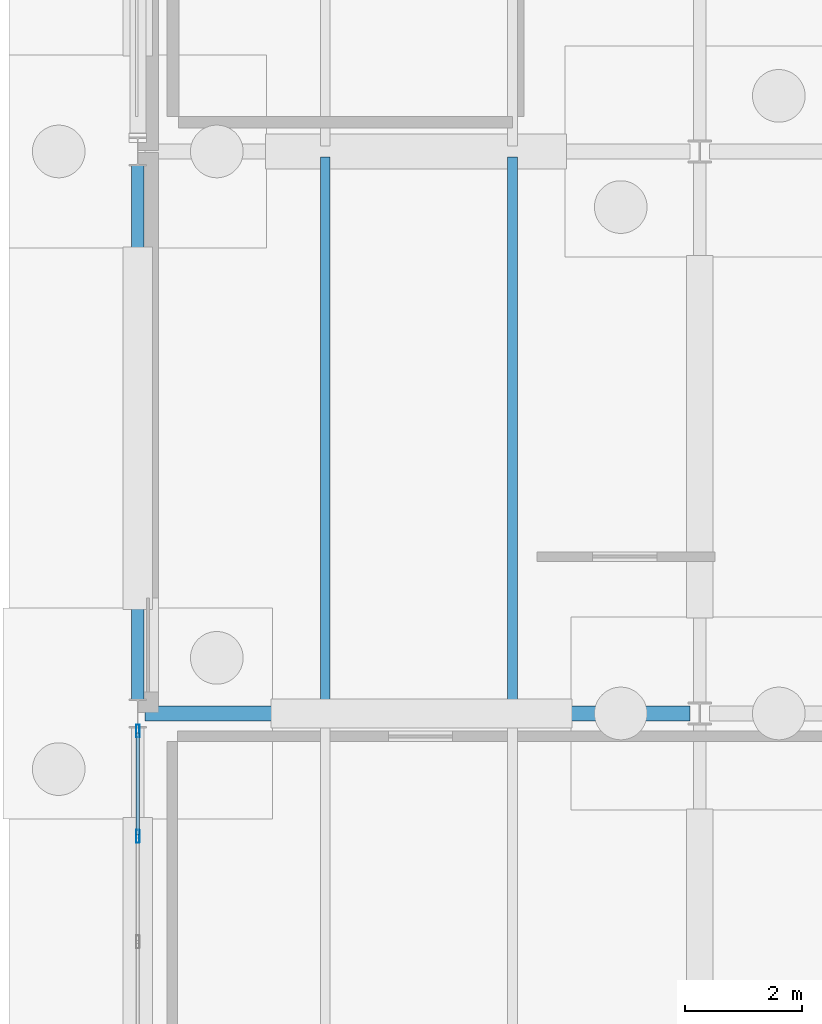
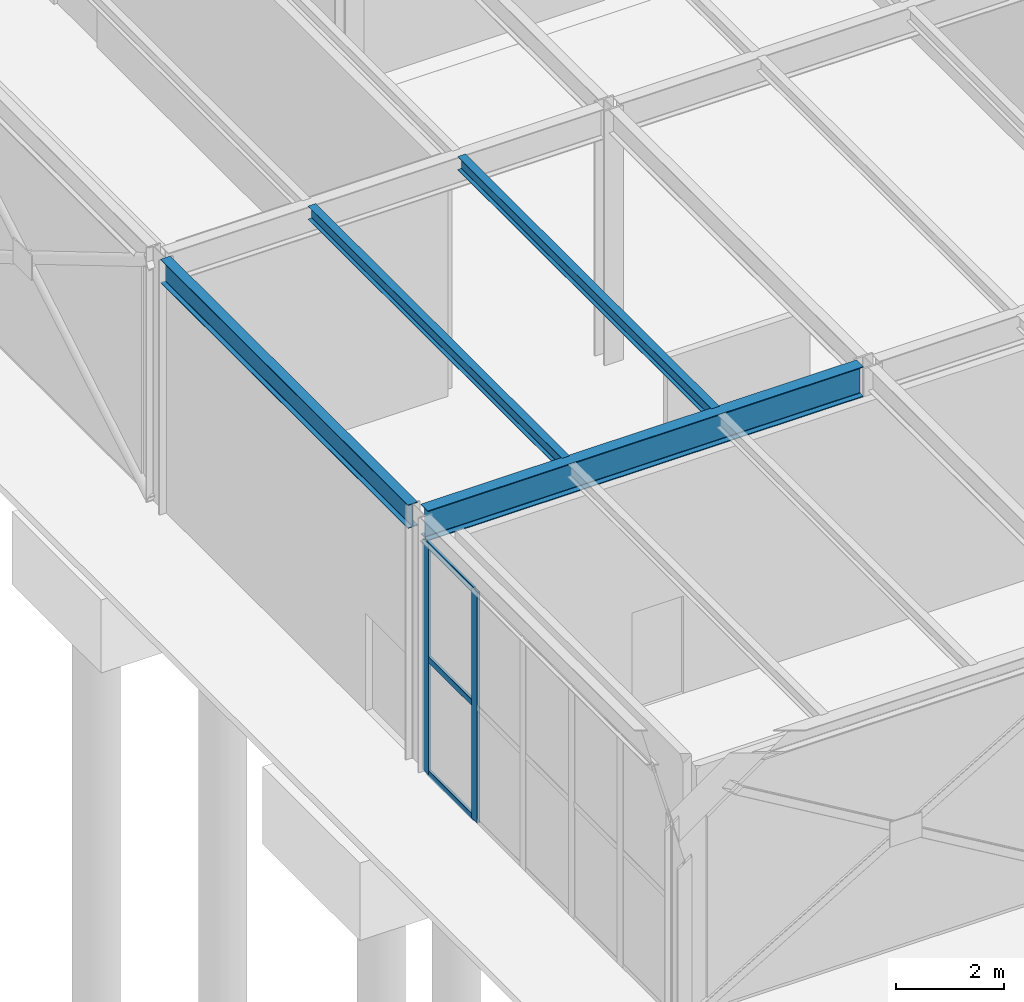
# One storey, part 33 of 142: 5 members, 4 beams, 1 element without a shape of its own.
"""IFC4 building model written with IfcOpenShell, lengths in metres."""

from ifc_helpers import new_model, si_unit, direction, frame, origin, origin_2d, place, context, subcontext, project, spatial, hollow_rectangle, i_section, extrude, material, material_profile, profile_set, type_object, element, aggregate, save


model = new_model("IFC4")

# Units and contexts
model_context = context("Model", 3, precision=1e-05, world=origin(), true_north=direction((0.0, 1.0)))
body_context = subcontext(model_context, "Body", "Model", "MODEL_VIEW")
ifc_project = project(units=[si_unit("LENGTHUNIT", "METRE"), si_unit("AREAUNIT", "SQUARE_METRE"), si_unit("VOLUMEUNIT", "CUBIC_METRE"), si_unit("PLANEANGLEUNIT", "RADIAN"), si_unit("MASSUNIT", "GRAM", prefix="KILO")], contexts=[model_context])

# Site, building, storey
site_placement = place(None, origin())
site = spatial("IfcSite", under=ifc_project, at=site_placement, CompositionType="ELEMENT")
building_placement = place(site_placement, origin())
building = spatial("IfcBuilding", under=site, at=building_placement, Name="Coralgate Yard Interchange", CompositionType="ELEMENT")
storey_placement = place(building_placement, origin())
storey = spatial("IfcBuildingStorey", under=building, at=storey_placement, Name="L00", CompositionType="ELEMENT", Elevation=0.0)

# Beams
ifc_material_1 = material(Name="Structural steel S355J2", Category="steel")
ifc_material_profile_1 = material_profile(ifc_material_1, i_section(OverallWidth=0.209228515625, OverallDepth=0.533203125, WebThickness=0.010009765625, FlangeThickness=0.015625, FilletRadius=0.0126953125, at=origin_2d()), Name="UB 533x210x92")
ifc_profile_set_1 = profile_set([ifc_material_profile_1], Name="Structural steel S355J2")
beam_type_1 = type_object("IfcBeamType", Name="BM-SB-1", PredefinedType="BEAM", material=ifc_profile_set_1)
beam_1_placement = place(storey_placement, frame((0.0, 9.820068359375, 5.4833984375), z_axis=(0.0, 1.0, 0.0), x_axis=(-1.0, 0.0, 0.0)))
element("IfcBeam", 1, at=beam_1_placement, inside=storey, type_object=beam_type_1, Name="L00 primary grid girder X0 Y1-2", PredefinedType="BEAM", context=body_context, shape_type="SweptSolid", body=[
    extrude(i_section(OverallWidth=0.209228515625, OverallDepth=0.533203125, WebThickness=0.010009765625, FlangeThickness=0.015625, FilletRadius=0.0126953125, at=origin_2d()), origin(), (0.0, 0.0, 1.0), 9.159912109375),
])
ifc_material_profile_2 = material_profile(ifc_material_1, i_section(OverallWidth=0.253662109375, OverallDepth=0.68359375, WebThickness=0.012451171875, FlangeThickness=0.01904296875, FilletRadius=0.01513671875, at=origin_2d()), Name="UB 686x254x140")
ifc_profile_set_2 = profile_set([ifc_material_profile_2], Name="Structural steel S355J2")
beam_type_2 = type_object("IfcBeamType", Name="BM-SG-4", PredefinedType="BEAM", material=ifc_profile_set_2)
beam_2_placement = place(storey_placement, frame((0.1201171875, 9.60009765625, 5.408203125), z_axis=(1.0, 0.0, 0.0), x_axis=(0.0, 1.0, 0.0)))
element("IfcBeam", 2, at=beam_2_placement, inside=storey, type_object=beam_type_2, Name="L00 primary grid beam Y1 X0-1", PredefinedType="BEAM", context=body_context, shape_type="SweptSolid", body=[
    extrude(i_section(OverallWidth=0.253662109375, OverallDepth=0.68359375, WebThickness=0.012451171875, FlangeThickness=0.01904296875, FilletRadius=0.01513671875, at=origin_2d()), origin(), (0.0, 0.0, 1.0), 9.310302734375),
])
ifc_material_profile_3 = material_profile(ifc_material_1, i_section(OverallWidth=0.1650390625, OverallDepth=0.303466796875, WebThickness=0.006103515625, FlangeThickness=0.01025390625, FilletRadius=0.0087890625, at=origin_2d()), Name="UB 305x165x40")
ifc_profile_set_3 = profile_set([ifc_material_profile_3], Name="Structural steel S355J2")
beam_type_3 = type_object("IfcBeamType", Name="BM-SJ-1", PredefinedType="JOIST", material=ifc_profile_set_3)
for number, where, z_axis, x_axis, name in (
    (3, (3.199951171875, 9.69677734375, 5.598388671875), (0.0, 1.0, 0.0), (-1.0, 0.0, 0.0), "L00 composite floor joist 0-1-1"),
    (4, (6.39990234375, 9.69677734375, 5.598388671875), (0.0, 1.0, 0.0), (-1.0, 0.0, 0.0), "L00 composite floor joist 0-1-2"),
):
    element("IfcBeam", number, at=place(storey_placement, frame(where, z_axis=z_axis, x_axis=x_axis)), inside=storey, type_object=beam_type_3, Name=name, PredefinedType="JOIST", context=body_context, shape_type="SweptSolid", body=[
        extrude(i_section(OverallWidth=0.1650390625, OverallDepth=0.303466796875, WebThickness=0.006103515625, FlangeThickness=0.01025390625, FilletRadius=0.0087890625, at=origin_2d()), origin(), (0.0, 0.0, 1.0), 9.40625),
    ])

# Curtain wall, members
ifc_material_2 = material(Name="Anodised coastal aluminium and solar-control low-E glass", Category="aluminium")
curtain_wall_type = type_object("IfcCurtainWallType", Name="CW-CW-L00-B", PredefinedType="NOTDEFINED", material=ifc_material_2)
curtain_wall_placement = place(storey_placement, origin())
curtain_wall = element("IfcCurtainWall", 5, at=curtain_wall_placement, inside=storey, type_object=curtain_wall_type, Name="L00 unitised curtain wall CW-L00-W-00-00", PredefinedType="NOTDEFINED")
ifc_material_3 = material(Name="Anodised coastal aluminium 6063-T6", Category="aluminium")
ifc_material_profile_4 = material_profile(ifc_material_3, hollow_rectangle(XDim=0.06005859375, YDim=0.219970703125, WallThickness=0.00390625, InnerFilletRadius=0.00390625, OuterFilletRadius=0.008056640625, at=origin_2d()), Name="ALU 60x220x4")
ifc_profile_set_4 = profile_set([ifc_material_profile_4], Name="Anodised coastal aluminium 6063-T6")
member_type_1 = type_object("IfcMemberType", Name="MB-MUL-220", PredefinedType="MULLION", material=ifc_profile_set_4)
member_1_placement = place(storey_placement, frame((0.0, 7.5, 0.0), z_axis=(0.0, 0.0, 1.0), x_axis=(1.0, 0.0, 0.0)))
member_1 = element("IfcMember", 6, at=member_1_placement, type_object=member_type_1, Name="CW-L00-W-00-00 vertical mullion 5", PredefinedType="MULLION", context=body_context, shape_type="SweptSolid", body=[
    extrude(hollow_rectangle(XDim=0.06005859375, YDim=0.219970703125, WallThickness=0.00390625, InnerFilletRadius=0.00390625, OuterFilletRadius=0.008056640625, at=origin_2d()), origin(), (0.0, 0.0, 1.0), 5.216796875),
])
member_2_placement = place(storey_placement, frame((0.0, 9.300048828125, 0.0), z_axis=(0.0, 0.0, 1.0), x_axis=(1.0, 0.0, 0.0)))
member_2 = element("IfcMember", 7, at=member_2_placement, type_object=member_type_1, Name="CW-L00-W-00-00 vertical mullion 6", PredefinedType="MULLION", context=body_context, shape_type="SweptSolid", body=[
    extrude(hollow_rectangle(XDim=0.06005859375, YDim=0.219970703125, WallThickness=0.00390625, InnerFilletRadius=0.00390625, OuterFilletRadius=0.008056640625, at=origin_2d()), origin(), (0.0, 0.0, 1.0), 5.216796875),
])
ifc_material_profile_5 = material_profile(ifc_material_3, hollow_rectangle(XDim=0.06005859375, YDim=0.139892578125, WallThickness=0.00341796875, InnerFilletRadius=0.00341796875, OuterFilletRadius=0.007080078125, at=origin_2d()), Name="ALU 60x140x3.5")
ifc_profile_set_5 = profile_set([ifc_material_profile_5], Name="Anodised coastal aluminium 6063-T6")
member_type_2 = type_object("IfcMemberType", Name="MB-TRN-140", PredefinedType="USERDEFINED", material=ifc_profile_set_5)
member_3_placement = place(storey_placement, frame((0.0, 7.530029296875, 0.034912109375), z_axis=(0.0, 1.0, 0.0), x_axis=(-1.0, 0.0, 0.0)))
member_3 = element("IfcMember", 8, at=member_3_placement, type_object=member_type_2, Name="CW-L00-W-00-00 horizontal transom 5-1", ObjectType="TRANSOM", PredefinedType="USERDEFINED", context=body_context, shape_type="SweptSolid", body=[
    extrude(hollow_rectangle(XDim=0.06005859375, YDim=0.139892578125, WallThickness=0.00341796875, InnerFilletRadius=0.00341796875, OuterFilletRadius=0.007080078125, at=origin_2d()), origin(), (0.0, 0.0, 1.0), 1.739990234375),
])
member_4_placement = place(storey_placement, frame((0.0, 7.530029296875, 2.6083984375), z_axis=(0.0, 1.0, 0.0), x_axis=(-1.0, 0.0, 0.0)))
member_4 = element("IfcMember", 9, at=member_4_placement, type_object=member_type_2, Name="CW-L00-W-00-00 horizontal transom 5-2", ObjectType="TRANSOM", PredefinedType="USERDEFINED", context=body_context, shape_type="SweptSolid", body=[
    extrude(hollow_rectangle(XDim=0.06005859375, YDim=0.139892578125, WallThickness=0.00341796875, InnerFilletRadius=0.00341796875, OuterFilletRadius=0.007080078125, at=origin_2d()), origin(), (0.0, 0.0, 1.0), 1.739990234375),
])
member_5_placement = place(storey_placement, frame((0.0, 7.530029296875, 5.181884765625), z_axis=(0.0, 1.0, 0.0), x_axis=(-1.0, 0.0, 0.0)))
member_5 = element("IfcMember", 10, at=member_5_placement, type_object=member_type_2, Name="CW-L00-W-00-00 horizontal transom 5-3", ObjectType="TRANSOM", PredefinedType="USERDEFINED", context=body_context, shape_type="SweptSolid", body=[
    extrude(hollow_rectangle(XDim=0.06005859375, YDim=0.139892578125, WallThickness=0.00341796875, InnerFilletRadius=0.00341796875, OuterFilletRadius=0.007080078125, at=origin_2d()), origin(), (0.0, 0.0, 1.0), 1.739990234375),
])
aggregate(curtain_wall, [member_1, member_2, member_3, member_4, member_5])

save(model, "model.ifc")
